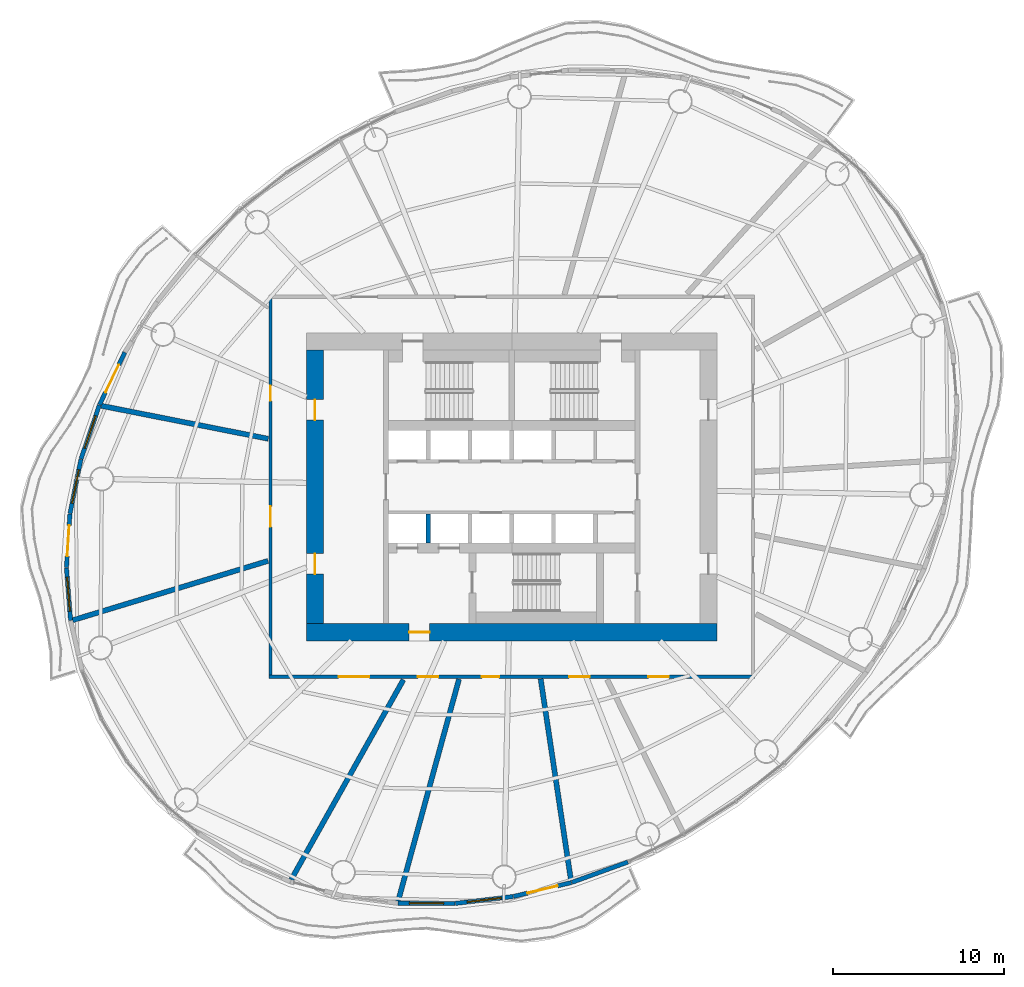
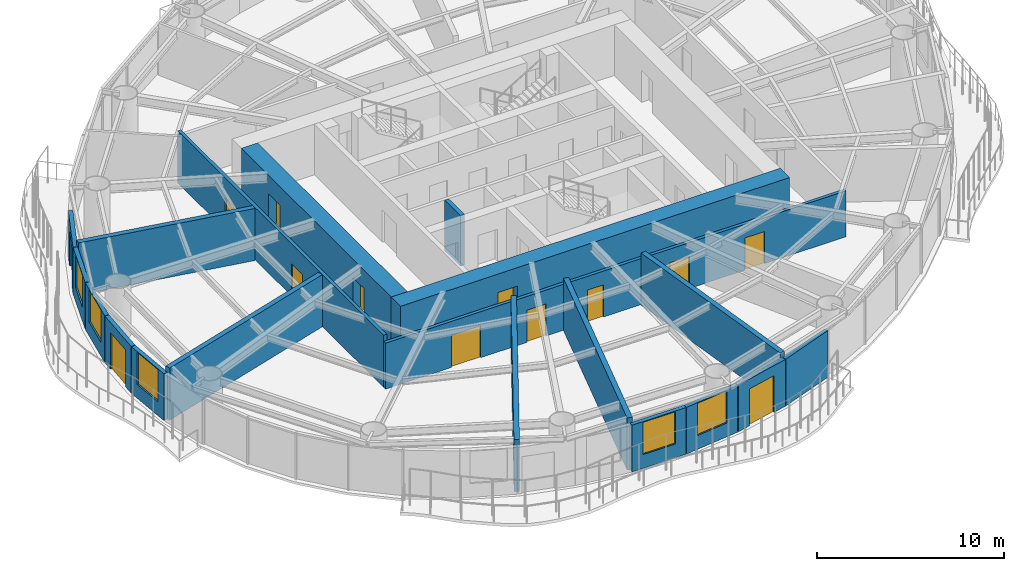
# One storey, part 8 of 15: 19 walls, 13 doors, 5 windows, 18 openings.
"""IFC4 building model written with IfcOpenShell, lengths in metres."""

from ifc_helpers import new_model, si_unit, direction, frame, frame_2d, origin, place, context, subcontext, project, spatial, rectangle, extrude, material, layer, layer_set, type_object, element, fill, save


model = new_model("IFC4")

# Units and contexts
model_context = context("Model", 3, precision=1e-05, world=origin(), true_north=direction((0.0, 1.0)))
body_context = subcontext(model_context, "Body", "Model", "MODEL_VIEW")
ifc_project = project(units=[si_unit("LENGTHUNIT", "METRE"), si_unit("AREAUNIT", "SQUARE_METRE"), si_unit("VOLUMEUNIT", "CUBIC_METRE"), si_unit("PLANEANGLEUNIT", "RADIAN"), si_unit("MASSUNIT", "GRAM", prefix="KILO")], contexts=[model_context])

# Site, building, storey
site_placement = place(None, origin())
site = spatial("IfcSite", under=ifc_project, at=site_placement, CompositionType="ELEMENT")
building_placement = place(site_placement, origin())
building = spatial("IfcBuilding", under=site, at=building_placement, Name="Vermilion Reach Broadcast Tower", CompositionType="ELEMENT")
storey_placement = place(building_placement, frame((0.0, 0.0, 175.800048828125)))
storey = spatial("IfcBuildingStorey", under=building, at=storey_placement, Name="L42", CompositionType="ELEMENT", Elevation=175.800048828125)

# Wall, opening, door
ifc_material_1 = material(Name="Concrete C70", Category="concrete")
ifc_layer_1 = layer(ifc_material_1, 1.0)
ifc_layer_set_1 = layer_set([ifc_layer_1], Name="Core outer wall 1000 mm Concrete C70")
wall_type_1 = type_object("IfcWallType", Name="Core outer wall 1000 mm Concrete C70", PredefinedType="SHEAR", material=ifc_layer_set_1)
wall_1_placement = place(storey_placement, frame((-18.0, -8.5, 0.0), z_axis=(0.0, 0.0, 1.0), x_axis=(1.0, 0.0, 0.0)))
wall_1 = element("IfcWall", 1, at=wall_1_placement, inside=storey, type_object=wall_type_1, Name="L42 core wall os", PredefinedType="SHEAR", context=body_context, shape_type="SweptSolid", body=[
    extrude(rectangle(XDim=24.0, YDim=1.0, at=frame_2d((12.0, 0.0))), origin(), (0.0, 0.0, 1.0), 3.300048828125),
])
opening_1_placement = place(wall_1_placement, frame((6.0, 0.0, 0.0)))
opening_1 = element("IfcOpeningElement", 2, at=opening_1_placement, cuts=wall_1, Name="Opening D02", PredefinedType="OPENING", context=body_context, shape_type="SweptSolid", body=[
    extrude(rectangle(XDim=1.199951171875, YDim=2.10009765625, at=frame_2d((0.60009765625, 1.050048828125))), frame((0.0, 0.510009765625, 0.0), z_axis=(0.0, -1.0, 0.0), x_axis=(1.0, 0.0, 0.0)), (0.0, 0.0, 1.0), 1.02001953125),
])
ifc_material_2 = material(Name="Painted steel fire door", Category="steel")
door_type_1 = type_object("IfcDoorType", Name="Firefighting lobby door 1200 x 2100", OperationType="DOUBLE_DOOR_SINGLE_SWING", PredefinedType="NOTDEFINED", material=ifc_material_2)
door_1_placement = place(opening_1_placement, origin())
door_1 = element("IfcDoor", 3, at=door_1_placement, inside=storey, type_object=door_type_1, Name="L42 ffdoor door FFL", OperationType="DOUBLE_DOOR_SINGLE_SWING", OverallHeight=2.10009765625, OverallWidth=1.199951171875, PredefinedType="NOTDEFINED", context=body_context, shape_type="SweptSolid", body=[
    extrude(rectangle(XDim=1.199951171875, YDim=2.10009765625, at=frame_2d((0.60009765625, 1.050048828125))), frame((0.0, 0.02490234375, 0.0), z_axis=(0.0, -1.0, 0.0), x_axis=(1.0, 0.0, 0.0)), (0.0, 0.0, 1.0), 0.050048828125),
])
fill(opening_1, door_1)

# Wall, openings, doors
wall_2_placement = place(storey_placement, frame((-17.5, 8.0, 0.0), z_axis=(0.0, 0.0, 1.0), x_axis=(0.0, -1.0, 0.0)))
wall_2 = element("IfcWall", 4, at=wall_2_placement, inside=storey, type_object=wall_type_1, Name="L42 core wall ow", PredefinedType="SHEAR", context=body_context, shape_type="SweptSolid", body=[
    extrude(rectangle(XDim=16.0, YDim=1.0, at=frame_2d((8.0, 0.0))), origin(), (0.0, 0.0, 1.0), 3.300048828125),
])
opening_2_placement = place(wall_2_placement, frame((11.89990234375, 0.0, 0.0)))
opening_2 = element("IfcOpeningElement", 5, at=opening_2_placement, cuts=wall_2, Name="Opening D03", PredefinedType="OPENING", context=body_context, shape_type="SweptSolid", body=[
    extrude(rectangle(XDim=1.199951171875, YDim=2.10009765625, at=frame_2d((0.60009765625, 1.050048828125))), frame((0.0, 0.510009765625, 0.0), z_axis=(0.0, -1.0, 0.0), x_axis=(1.0, 0.0, 0.0)), (0.0, 0.0, 1.0), 1.02001953125),
])
opening_3_placement = place(wall_2_placement, frame((2.89990234375, 0.0, 0.0)))
opening_3 = element("IfcOpeningElement", 6, at=opening_3_placement, cuts=wall_2, Name="Opening D03", PredefinedType="OPENING", context=body_context, shape_type="SweptSolid", body=[
    extrude(rectangle(XDim=1.199951171875, YDim=2.10009765625, at=frame_2d((0.60009765625, 1.050048828125))), frame((0.0, 0.510009765625, 0.0), z_axis=(0.0, -1.0, 0.0), x_axis=(1.0, 0.0, 0.0)), (0.0, 0.0, 1.0), 1.02001953125),
])
ifc_material_3 = material(Name="Painted steel fire door", Category="steel")
door_type_2 = type_object("IfcDoorType", Name="Core lobby door 1200 x 2100", OperationType="DOUBLE_DOOR_SINGLE_SWING", PredefinedType="NOTDEFINED", material=ifc_material_3)
door_2_placement = place(opening_2_placement, origin())
door_2 = element("IfcDoor", 7, at=door_2_placement, inside=storey, type_object=door_type_2, Name="L42 slot door W0", OperationType="DOUBLE_DOOR_SINGLE_SWING", OverallHeight=2.10009765625, OverallWidth=1.199951171875, PredefinedType="NOTDEFINED", context=body_context, shape_type="SweptSolid", body=[
    extrude(rectangle(XDim=1.199951171875, YDim=2.10009765625, at=frame_2d((0.60009765625, 1.050048828125))), frame((0.0, 0.02490234375, 0.0), z_axis=(0.0, -1.0, 0.0), x_axis=(1.0, 0.0, 0.0)), (0.0, 0.0, 1.0), 0.050048828125),
])
fill(opening_2, door_2)
door_3_placement = place(opening_3_placement, origin())
door_3 = element("IfcDoor", 8, at=door_3_placement, inside=storey, type_object=door_type_2, Name="L42 slot door W1", OperationType="DOUBLE_DOOR_SINGLE_SWING", OverallHeight=2.10009765625, OverallWidth=1.199951171875, PredefinedType="NOTDEFINED", context=body_context, shape_type="SweptSolid", body=[
    extrude(rectangle(XDim=1.199951171875, YDim=2.10009765625, at=frame_2d((0.60009765625, 1.050048828125))), frame((0.0, 0.02490234375, 0.0), z_axis=(0.0, -1.0, 0.0), x_axis=(1.0, 0.0, 0.0)), (0.0, 0.0, 1.0), 0.050048828125),
])
fill(opening_3, door_3)

# Wall
ifc_material_4 = material(Name="Concrete C50", Category="concrete")
ifc_layer_2 = layer(ifc_material_4, 0.25)
ifc_layer_set_2 = layer_set([ifc_layer_2], Name="Core shaft wall 250 mm Concrete C50")
wall_type_2 = type_object("IfcWallType", Name="Core shaft wall 250 mm Concrete C50", PredefinedType="SHEAR", material=ifc_layer_set_2)
wall_3_placement = place(storey_placement, frame((-10.88330078125, -1.60009765625, 0.0), z_axis=(0.0, 0.0, 1.0), x_axis=(0.0, -1.0, 0.0)))
element("IfcWall", 9, at=wall_3_placement, inside=storey, type_object=wall_type_2, Name="L42 core wall psS0", PredefinedType="SHEAR", context=body_context, shape_type="SweptSolid", body=[
    extrude(rectangle(XDim=1.679931640625, YDim=0.25, at=frame_2d((0.83984375, 0.0))), origin(), (0.0, 0.0, 1.0), 3.300048828125),
])

# Wall, openings, doors
ifc_material_5 = material(Name="Fire-rated gypsum board partition")
ifc_layer_3 = layer(ifc_material_5, 0.199951171875)
ifc_layer_set_3 = layer_set([ifc_layer_3], Name="Corridor wall 200 fire-rated")
wall_type_3 = type_object("IfcWallType", Name="Corridor wall 200 fire-rated", PredefinedType="PARTITIONING", material=ifc_layer_set_3)
wall_4_placement = place(storey_placement, frame((-20.10009765625, -11.0, 0.0), z_axis=(0.0, 0.0, 1.0), x_axis=(0.0, 1.0, 0.0)))
wall_4 = element("IfcWall", 10, at=wall_4_placement, inside=storey, type_object=wall_type_3, Name="Corridor wall 42.W", PredefinedType="PARTITIONING", context=body_context, shape_type="SweptSolid", body=[
    extrude(rectangle(XDim=22.0, YDim=0.199951171875, at=frame_2d((11.0, 0.0))), origin(), (0.0, 0.0, 1.0), 3.39990234375),
])
opening_4_placement = place(wall_4_placement, frame((16.0185546875, 0.0, 0.0)))
opening_4 = element("IfcOpeningElement", 11, at=opening_4_placement, cuts=wall_4, Name="Opening D22", PredefinedType="OPENING", context=body_context, shape_type="SweptSolid", body=[
    extrude(rectangle(XDim=0.89990234375, YDim=2.10009765625, at=frame_2d((0.449951171875, 1.050048828125))), frame((0.0, 0.10986328125, 0.0), z_axis=(0.0, -1.0, 0.0), x_axis=(1.0, 0.0, 0.0)), (0.0, 0.0, 1.0), 0.219970703125),
])
opening_5_placement = place(wall_4_placement, frame((8.66162109375, 0.0, 0.0)))
opening_5 = element("IfcOpeningElement", 12, at=opening_5_placement, cuts=wall_4, Name="Opening D26", PredefinedType="OPENING", context=body_context, shape_type="SweptSolid", body=[
    extrude(rectangle(XDim=1.199951171875, YDim=2.10009765625, at=frame_2d((0.60009765625, 1.050048828125))), frame((0.0, 0.10986328125, 0.0), z_axis=(0.0, -1.0, 0.0), x_axis=(1.0, 0.0, 0.0)), (0.0, 0.0, 1.0), 0.219970703125),
])
ifc_material_6 = material(Name="Acoustic timber door leaf", Category="wood")
door_type_3 = type_object("IfcDoorType", Name="Door single 1200x2100", OperationType="NOTDEFINED", PredefinedType="DOOR", material=ifc_material_6)
door_4_placement = place(opening_5_placement, origin())
door_4 = element("IfcDoor", 13, at=door_4_placement, inside=storey, type_object=door_type_3, Name="Door 42.05", OperationType="SINGLE_SWING_LEFT", OverallHeight=2.10009765625, OverallWidth=1.199951171875, PredefinedType="DOOR", context=body_context, shape_type="SweptSolid", body=[
    extrude(rectangle(XDim=1.199951171875, YDim=2.10009765625, at=frame_2d((0.60009765625, 1.050048828125))), frame((0.0, 0.02490234375, 0.0), z_axis=(0.0, -1.0, 0.0), x_axis=(1.0, 0.0, 0.0)), (0.0, 0.0, 1.0), 0.050048828125),
])
fill(opening_5, door_4)
ifc_material_7 = material(Name="Timber door leaf", Category="wood")
door_type_4 = type_object("IfcDoorType", Name="Door single 900x2100", OperationType="NOTDEFINED", PredefinedType="DOOR", material=ifc_material_7)
door_5_placement = place(opening_4_placement, origin())
door_5 = element("IfcDoor", 14, at=door_5_placement, inside=storey, type_object=door_type_4, Name="Door 42.04", OperationType="SINGLE_SWING_LEFT", OverallHeight=2.10009765625, OverallWidth=0.89990234375, PredefinedType="DOOR", context=body_context, shape_type="SweptSolid", body=[
    extrude(rectangle(XDim=0.89990234375, YDim=2.10009765625, at=frame_2d((0.449951171875, 1.050048828125))), frame((0.0, 0.02490234375, 0.0), z_axis=(0.0, -1.0, 0.0), x_axis=(1.0, 0.0, 0.0)), (0.0, 0.0, 1.0), 0.050048828125),
])
fill(opening_4, door_5)

# Walls
ifc_material_8 = material(Name="Double-leaf plasterboard on isolated steel stud", Category="steel")
ifc_layer_4 = layer(ifc_material_8, 0.300048828125)
ifc_layer_set_4 = layer_set([ifc_layer_4], Name="Partition 300 acoustic double leaf")
wall_type_4 = type_object("IfcWallType", Name="Partition 300 acoustic double leaf", PredefinedType="PARTITIONING", material=ifc_layer_set_4)
wall_5_placement = place(storey_placement, frame((-29.98681640625, 4.7373046875, 0.0), z_axis=(0.0, 0.0, 1.0), x_axis=(0.981048005171, -0.193764835689, 0.0)))
element("IfcWall", 15, at=wall_5_placement, inside=storey, type_object=wall_type_4, Name="Partition 42.05", PredefinedType="PARTITIONING", context=body_context, shape_type="SweptSolid", body=[
    extrude(rectangle(XDim=9.9462890625, YDim=0.300048828125, at=frame_2d((4.97314453125, 0.0))), origin(), (0.0, 0.0, 1.0), 3.39990234375),
])
wall_6_placement = place(storey_placement, frame((-31.661865234375, -7.796142578125, 0.0), z_axis=(0.0, 0.0, 1.0), x_axis=(0.956816478415, 0.290692666976, 0.0)))
element("IfcWall", 16, at=wall_6_placement, inside=storey, type_object=wall_type_4, Name="Partition 42.06", PredefinedType="PARTITIONING", context=body_context, shape_type="SweptSolid", body=[
    extrude(rectangle(XDim=11.93359375, YDim=0.300048828125, at=frame_2d((5.966796875, 0.0))), origin(), (0.0, 0.0, 1.0), 3.39990234375),
])
wall_7_placement = place(storey_placement, frame((-18.8935546875, -22.958251953125, 0.0), z_axis=(0.0, 0.0, 1.0), x_axis=(0.489668651608, 0.871908602798, 0.0)))
element("IfcWall", 17, at=wall_7_placement, inside=storey, type_object=wall_type_4, Name="Partition 42.07", PredefinedType="PARTITIONING", context=body_context, shape_type="SweptSolid", body=[
    extrude(rectangle(XDim=13.4013671875, YDim=0.300048828125, at=frame_2d((6.70068359375, 0.0))), origin(), (0.0, 0.0, 1.0), 3.39990234375),
])
wall_8_placement = place(storey_placement, frame((-12.641357421875, -24.2138671875, 0.0), z_axis=(0.0, 0.0, 1.0), x_axis=(0.264514468867, 0.964381716832, 0.0)))
element("IfcWall", 18, at=wall_8_placement, inside=storey, type_object=wall_type_4, Name="Partition 42.08", PredefinedType="PARTITIONING", context=body_context, shape_type="SweptSolid", body=[
    extrude(rectangle(XDim=13.453369140625, YDim=0.300048828125, at=frame_2d((6.7265625, 0.0))), origin(), (0.0, 0.0, 1.0), 3.39990234375),
])
wall_9_placement = place(storey_placement, frame((-2.538330078125, -23.005126953125, 0.0), z_axis=(0.0, 0.0, 1.0), x_axis=(-0.14879531589, 0.988868016456, 0.0)))
element("IfcWall", 19, at=wall_9_placement, inside=storey, type_object=wall_type_4, Name="Partition 42.09", PredefinedType="PARTITIONING", context=body_context, shape_type="SweptSolid", body=[
    extrude(rectangle(XDim=11.915283203125, YDim=0.300048828125, at=frame_2d((5.95751953125, 0.0))), origin(), (0.0, 0.0, 1.0), 3.39990234375),
])

# Wall, opening, door
ifc_material_9 = material(Name="Terracotta rainscreen cladding", Category="masonry")
ifc_layer_5 = layer(ifc_material_9, 0.25)
ifc_layer_set_5 = layer_set([ifc_layer_5], Name="Terracotta rainscreen wall 250")
wall_type_5 = type_object("IfcWallType", Name="Terracotta rainscreen wall 250", PredefinedType="SOLIDWALL", material=ifc_layer_set_5)
wall_10_placement = place(storey_placement, frame((-28.6171875, 7.85986328125, 0.0), z_axis=(0.0, 0.0, 1.0), x_axis=(-0.434919571845, -0.900469303211, 0.0)))
wall_10 = element("IfcWall", 20, at=wall_10_placement, inside=storey, type_object=wall_type_5, Name="External wall L42 16", PredefinedType="SOLIDWALL", context=body_context, shape_type="SweptSolid", body=[
    extrude(rectangle(XDim=3.403564453125, YDim=0.25, at=frame_2d((1.70166015625, 0.0))), origin(), (0.0, 0.0, 1.0), 3.050048828125),
])
opening_6_placement = place(wall_10_placement, frame((0.802001953125, 0.0, 0.0)))
opening_6 = element("IfcOpeningElement", 21, at=opening_6_placement, cuts=wall_10, Name="Opening D70", PredefinedType="OPENING", context=body_context, shape_type="SweptSolid", body=[
    extrude(rectangle(XDim=1.800048828125, YDim=2.39990234375, at=frame_2d((0.89990234375, 1.199951171875))), frame((0.0, 0.135009765625, 0.0), z_axis=(0.0, -1.0, 0.0), x_axis=(1.0, 0.0, 0.0)), (0.0, 0.0, 1.0), 0.27001953125),
])
ifc_material_10 = material(Name="Low-e laminated clear glass in aluminium frame", Category="aluminium")
door_type_5 = type_object("IfcDoorType", Name="Balcony sliding door 1800 x 2400", OperationType="DOUBLE_DOOR_SLIDING", PredefinedType="DOOR", material=ifc_material_10)
door_6_placement = place(opening_6_placement, origin())
door_6 = element("IfcDoor", 22, at=door_6_placement, inside=storey, type_object=door_type_5, Name="Balcony door L42 run 04", OperationType="DOUBLE_DOOR_SLIDING", OverallHeight=2.39990234375, OverallWidth=1.800048828125, PredefinedType="DOOR", context=body_context, shape_type="SweptSolid", body=[
    extrude(rectangle(XDim=1.800048828125, YDim=2.39990234375, at=frame_2d((0.89990234375, 1.199951171875))), frame((0.0, 0.02490234375, 0.0), z_axis=(0.0, -1.0, 0.0), x_axis=(1.0, 0.0, 0.0)), (0.0, 0.0, 1.0), 0.050048828125),
])
fill(opening_6, door_6)

# Wall, opening, window
wall_11_placement = place(storey_placement, frame((-30.106201171875, 4.773681640625, 0.0), z_axis=(0.0, 0.0, 1.0), x_axis=(-0.321869774717, -0.946783950077, 0.0)))
wall_11 = element("IfcWall", 23, at=wall_11_placement, inside=storey, type_object=wall_type_5, Name="External wall L42 17", PredefinedType="SOLIDWALL", context=body_context, shape_type="SweptSolid", body=[
    extrude(rectangle(XDim=3.320068359375, YDim=0.25, at=frame_2d((1.66015625, 0.0))), origin(), (0.0, 0.0, 1.0), 3.050048828125),
])
opening_7_placement = place(wall_11_placement, frame((0.66015625, 0.0, 0.89990234375)))
opening_7 = element("IfcOpeningElement", 24, at=opening_7_placement, cuts=wall_11, Name="Opening W03", PredefinedType="OPENING", context=body_context, shape_type="SweptSolid", body=[
    extrude(rectangle(XDim=2.0, YDim=2.10009765625, at=frame_2d((1.0, 1.050048828125))), frame((0.0, 0.135009765625, 0.0), z_axis=(0.0, -1.0, 0.0), x_axis=(1.0, 0.0, 0.0)), (0.0, 0.0, 1.0), 0.27001953125),
])
ifc_material_11 = material(Name="Low-e laminated clear glass in aluminium frame", Category="aluminium")
window_type = type_object("IfcWindowType", Name="Punched window 2000 x 2100 sill 900", PartitioningType="SINGLE_PANEL", PredefinedType="WINDOW", material=ifc_material_11)
window_1_placement = place(opening_7_placement, origin())
window_1 = element("IfcWindow", 25, at=window_1_placement, inside=storey, type_object=window_type, Name="Window L42 17", OverallHeight=2.10009765625, OverallWidth=2.0, PartitioningType="SINGLE_PANEL", PredefinedType="WINDOW", context=body_context, shape_type="SweptSolid", body=[
    extrude(rectangle(XDim=2.0, YDim=2.10009765625, at=frame_2d((1.0, 1.050048828125))), frame((0.0, 0.030029296875, 0.0), z_axis=(0.0, -1.0, 0.0), x_axis=(1.0, 0.0, 0.0)), (0.0, 0.0, 1.0), 0.06005859375),
])
fill(opening_7, window_1)

wall_12_placement = place(storey_placement, frame((-31.18115234375, 1.607177734375, 0.0), z_axis=(0.0, 0.0, 1.0), x_axis=(-0.198076987467, -0.980186465442, 0.0)))
wall_12 = element("IfcWall", 26, at=wall_12_placement, inside=storey, type_object=wall_type_5, Name="External wall L42 18", PredefinedType="SOLIDWALL", context=body_context, shape_type="SweptSolid", body=[
    extrude(rectangle(XDim=3.231689453125, YDim=0.25, at=frame_2d((1.61572265625, 0.0))), origin(), (0.0, 0.0, 1.0), 3.050048828125),
])
opening_8_placement = place(wall_12_placement, frame((0.615966796875, 0.0, 0.89990234375)))
opening_8 = element("IfcOpeningElement", 27, at=opening_8_placement, cuts=wall_12, Name="Opening W03", PredefinedType="OPENING", context=body_context, shape_type="SweptSolid", body=[
    extrude(rectangle(XDim=2.0, YDim=2.10009765625, at=frame_2d((1.0, 1.050048828125))), frame((0.0, 0.135009765625, 0.0), z_axis=(0.0, -1.0, 0.0), x_axis=(1.0, 0.0, 0.0)), (0.0, 0.0, 1.0), 0.27001953125),
])
window_2_placement = place(opening_8_placement, origin())
window_2 = element("IfcWindow", 28, at=window_2_placement, inside=storey, type_object=window_type, Name="Window L42 18", OverallHeight=2.10009765625, OverallWidth=2.0, PartitioningType="SINGLE_PANEL", PredefinedType="WINDOW", context=body_context, shape_type="SweptSolid", body=[
    extrude(rectangle(XDim=2.0, YDim=2.10009765625, at=frame_2d((1.0, 1.050048828125))), frame((0.0, 0.030029296875, 0.0), z_axis=(0.0, -1.0, 0.0), x_axis=(1.0, 0.0, 0.0)), (0.0, 0.0, 1.0), 0.06005859375),
])
fill(opening_8, window_2)

# Wall, opening, door
wall_13_placement = place(storey_placement, frame((-31.824462890625, -1.585205078125, 0.0), z_axis=(0.0, 0.0, 1.0), x_axis=(-0.064065458037, -0.997945698466, 0.0)))
wall_13 = element("IfcWall", 29, at=wall_13_placement, inside=storey, type_object=wall_type_5, Name="External wall L42 19", PredefinedType="SOLIDWALL", context=body_context, shape_type="SweptSolid", body=[
    extrude(rectangle(XDim=3.143798828125, YDim=0.25, at=frame_2d((1.57177734375, 0.0))), origin(), (0.0, 0.0, 1.0), 3.050048828125),
])
opening_9_placement = place(wall_13_placement, frame((0.672119140625, 0.0, 0.0)))
opening_9 = element("IfcOpeningElement", 30, at=opening_9_placement, cuts=wall_13, Name="Opening D70", PredefinedType="OPENING", context=body_context, shape_type="SweptSolid", body=[
    extrude(rectangle(XDim=1.800048828125, YDim=2.39990234375, at=frame_2d((0.89990234375, 1.199951171875))), frame((0.0, 0.135009765625, 0.0), z_axis=(0.0, -1.0, 0.0), x_axis=(1.0, 0.0, 0.0)), (0.0, 0.0, 1.0), 0.27001953125),
])
door_7_placement = place(opening_9_placement, origin())
door_7 = element("IfcDoor", 31, at=door_7_placement, inside=storey, type_object=door_type_5, Name="Balcony door L42 run 05", OperationType="DOUBLE_DOOR_SLIDING", OverallHeight=2.39990234375, OverallWidth=1.800048828125, PredefinedType="DOOR", context=body_context, shape_type="SweptSolid", body=[
    extrude(rectangle(XDim=1.800048828125, YDim=2.39990234375, at=frame_2d((0.89990234375, 1.199951171875))), frame((0.0, 0.02490234375, 0.0), z_axis=(0.0, -1.0, 0.0), x_axis=(1.0, 0.0, 0.0)), (0.0, 0.0, 1.0), 0.050048828125),
])
fill(opening_9, door_7)

# Wall, opening, window
wall_14_placement = place(storey_placement, frame((-32.02587890625, -4.748291015625, 0.0), z_axis=(0.0, 0.0, 1.0), x_axis=(0.078116681752, -0.99694422313, 0.0)))
wall_14 = element("IfcWall", 32, at=wall_14_placement, inside=storey, type_object=wall_type_5, Name="External wall L42 20", PredefinedType="SOLIDWALL", context=body_context, shape_type="SweptSolid", body=[
    extrude(rectangle(XDim=3.062744140625, YDim=0.25, at=frame_2d((1.53125, 0.0))), origin(), (0.0, 0.0, 1.0), 3.050048828125),
])
opening_10_placement = place(wall_14_placement, frame((0.531494140625, 0.0, 0.89990234375)))
opening_10 = element("IfcOpeningElement", 33, at=opening_10_placement, cuts=wall_14, Name="Opening W03", PredefinedType="OPENING", context=body_context, shape_type="SweptSolid", body=[
    extrude(rectangle(XDim=2.0, YDim=2.10009765625, at=frame_2d((1.0, 1.050048828125))), frame((0.0, 0.135009765625, 0.0), z_axis=(0.0, -1.0, 0.0), x_axis=(1.0, 0.0, 0.0)), (0.0, 0.0, 1.0), 0.27001953125),
])
window_3_placement = place(opening_10_placement, origin())
window_3 = element("IfcWindow", 34, at=window_3_placement, inside=storey, type_object=window_type, Name="Window L42 20", OverallHeight=2.10009765625, OverallWidth=2.0, PartitioningType="SINGLE_PANEL", PredefinedType="WINDOW", context=body_context, shape_type="SweptSolid", body=[
    extrude(rectangle(XDim=2.0, YDim=2.10009765625, at=frame_2d((1.0, 1.050048828125))), frame((0.0, 0.030029296875, 0.0), z_axis=(0.0, -1.0, 0.0), x_axis=(1.0, 0.0, 0.0)), (0.0, 0.0, 1.0), 0.06005859375),
])
fill(opening_10, window_3)

wall_15_placement = place(storey_placement, frame((-12.6376953125, -24.338623046875, 0.0), z_axis=(0.0, 0.0, 1.0), x_axis=(0.999994765707, -0.003235515089, 0.0)))
wall_15 = element("IfcWall", 35, at=wall_15_placement, inside=storey, type_object=wall_type_5, Name="External wall L42 30", PredefinedType="SOLIDWALL", context=body_context, shape_type="SweptSolid", body=[
    extrude(rectangle(XDim=3.320068359375, YDim=0.25, at=frame_2d((1.66015625, 0.0))), origin(), (0.0, 0.0, 1.0), 3.050048828125),
])
opening_11_placement = place(wall_15_placement, frame((0.66015625, 0.0, 0.89990234375)))
opening_11 = element("IfcOpeningElement", 36, at=opening_11_placement, cuts=wall_15, Name="Opening W03", PredefinedType="OPENING", context=body_context, shape_type="SweptSolid", body=[
    extrude(rectangle(XDim=2.0, YDim=2.10009765625, at=frame_2d((1.0, 1.050048828125))), frame((0.0, 0.135009765625, 0.0), z_axis=(0.0, -1.0, 0.0), x_axis=(1.0, 0.0, 0.0)), (0.0, 0.0, 1.0), 0.27001953125),
])
window_4_placement = place(opening_11_placement, origin())
window_4 = element("IfcWindow", 37, at=window_4_placement, inside=storey, type_object=window_type, Name="Window L42 30", OverallHeight=2.10009765625, OverallWidth=2.0, PartitioningType="SINGLE_PANEL", PredefinedType="WINDOW", context=body_context, shape_type="SweptSolid", body=[
    extrude(rectangle(XDim=2.0, YDim=2.10009765625, at=frame_2d((1.0, 1.050048828125))), frame((0.0, 0.030029296875, 0.0), z_axis=(0.0, -1.0, 0.0), x_axis=(1.0, 0.0, 0.0)), (0.0, 0.0, 1.0), 0.06005859375),
])
fill(opening_11, window_4)

wall_16_placement = place(storey_placement, frame((-9.29443359375, -24.347900390625, 0.0), z_axis=(0.0, 0.0, 1.0), x_axis=(0.992928000629, 0.118718092836, 0.0)))
wall_16 = element("IfcWall", 38, at=wall_16_placement, inside=storey, type_object=wall_type_5, Name="External wall L42 31", PredefinedType="SOLIDWALL", context=body_context, shape_type="SweptSolid", body=[
    extrude(rectangle(XDim=3.403564453125, YDim=0.25, at=frame_2d((1.70166015625, 0.0))), origin(), (0.0, 0.0, 1.0), 3.050048828125),
])
opening_12_placement = place(wall_16_placement, frame((0.70166015625, 0.0, 0.89990234375)))
opening_12 = element("IfcOpeningElement", 39, at=opening_12_placement, cuts=wall_16, Name="Opening W03", PredefinedType="OPENING", context=body_context, shape_type="SweptSolid", body=[
    extrude(rectangle(XDim=2.0, YDim=2.10009765625, at=frame_2d((1.0, 1.050048828125))), frame((0.0, 0.135009765625, 0.0), z_axis=(0.0, -1.0, 0.0), x_axis=(1.0, 0.0, 0.0)), (0.0, 0.0, 1.0), 0.27001953125),
])
window_5_placement = place(opening_12_placement, origin())
window_5 = element("IfcWindow", 40, at=window_5_placement, inside=storey, type_object=window_type, Name="Window L42 31", OverallHeight=2.10009765625, OverallWidth=2.0, PartitioningType="SINGLE_PANEL", PredefinedType="WINDOW", context=body_context, shape_type="SweptSolid", body=[
    extrude(rectangle(XDim=2.0, YDim=2.10009765625, at=frame_2d((1.0, 1.050048828125))), frame((0.0, 0.030029296875, 0.0), z_axis=(0.0, -1.0, 0.0), x_axis=(1.0, 0.0, 0.0)), (0.0, 0.0, 1.0), 0.06005859375),
])
fill(opening_12, window_5)

# Wall, opening, door
wall_17_placement = place(storey_placement, frame((-5.892822265625, -23.93994140625, 0.0), z_axis=(0.0, 0.0, 1.0), x_axis=(0.97230053317, 0.233734193469, 0.0)))
wall_17 = element("IfcWall", 41, at=wall_17_placement, inside=storey, type_object=wall_type_5, Name="External wall L42 32", PredefinedType="SOLIDWALL", context=body_context, shape_type="SweptSolid", body=[
    extrude(rectangle(XDim=3.47607421875, YDim=0.25, at=frame_2d((1.738037109375, 0.0))), origin(), (0.0, 0.0, 1.0), 3.050048828125),
])
opening_13_placement = place(wall_17_placement, frame((0.837890625, 0.0, 0.0)))
opening_13 = element("IfcOpeningElement", 42, at=opening_13_placement, cuts=wall_17, Name="Opening D70", PredefinedType="OPENING", context=body_context, shape_type="SweptSolid", body=[
    extrude(rectangle(XDim=1.800048828125, YDim=2.39990234375, at=frame_2d((0.89990234375, 1.199951171875))), frame((0.0, 0.135009765625, 0.0), z_axis=(0.0, -1.0, 0.0), x_axis=(1.0, 0.0, 0.0)), (0.0, 0.0, 1.0), 0.27001953125),
])
door_8_placement = place(opening_13_placement, origin())
door_8 = element("IfcDoor", 43, at=door_8_placement, inside=storey, type_object=door_type_5, Name="Balcony door L42 run 08", OperationType="DOUBLE_DOOR_SLIDING", OverallHeight=2.39990234375, OverallWidth=1.800048828125, PredefinedType="DOOR", context=body_context, shape_type="SweptSolid", body=[
    extrude(rectangle(XDim=1.800048828125, YDim=2.39990234375, at=frame_2d((0.89990234375, 1.199951171875))), frame((0.0, 0.02490234375, 0.0), z_axis=(0.0, -1.0, 0.0), x_axis=(1.0, 0.0, 0.0)), (0.0, 0.0, 1.0), 0.050048828125),
])
fill(opening_13, door_8)

# Wall
wall_18_placement = place(storey_placement, frame((-2.491943359375, -23.12109375, 0.0), z_axis=(0.0, 0.0, 1.0), x_axis=(0.939842425933, 0.341608276271, 0.0)))
element("IfcWall", 44, at=wall_18_placement, inside=storey, type_object=wall_type_5, Name="External wall L42 33", PredefinedType="SOLIDWALL", context=body_context, shape_type="SweptSolid", body=[
    extrude(rectangle(XDim=3.490478515625, YDim=0.25, at=frame_2d((1.7451171875, 0.0))), origin(), (0.0, 0.0, 1.0), 3.050048828125),
])

# Wall, openings, doors
ifc_material_12 = material(Name="Fire-rated gypsum board partition")
ifc_layer_6 = layer(ifc_material_12, 0.199951171875)
ifc_layer_set_6 = layer_set([ifc_layer_6], Name="Under girder: Corridor wall 200 fire-rated")
wall_type_6 = type_object("IfcWallType", Name="Under girder: Corridor wall 200 fire-rated", PredefinedType="PARTITIONING", material=ifc_layer_set_6)
wall_19_placement = place(storey_placement, frame((8.199951171875, -11.10009765625, 0.0), z_axis=(0.0, 0.0, 1.0), x_axis=(-1.0, 0.0, 0.0)))
wall_19 = element("IfcWall", 45, at=wall_19_placement, inside=storey, type_object=wall_type_6, Name="Corridor wall 42.S", PredefinedType="PARTITIONING", context=body_context, shape_type="SweptSolid", body=[
    extrude(rectangle(XDim=28.39990234375, YDim=0.199951171875, at=frame_2d((14.199951171875, 0.0))), origin(), (0.0, 0.0, 1.0), 3.0),
])
opening_14_placement = place(wall_19_placement, frame((22.52294921875, 0.0, 0.0)))
opening_14 = element("IfcOpeningElement", 46, at=opening_14_placement, cuts=wall_19, Name="Opening D21", PredefinedType="OPENING", context=body_context, shape_type="SweptSolid", body=[
    extrude(rectangle(XDim=1.800048828125, YDim=2.10009765625, at=frame_2d((0.89990234375, 1.050048828125))), frame((0.0, 0.10986328125, 0.0), z_axis=(0.0, -1.0, 0.0), x_axis=(1.0, 0.0, 0.0)), (0.0, 0.0, 1.0), 0.219970703125),
])
opening_15_placement = place(wall_19_placement, frame((18.484619140625, 0.0, 0.0)))
opening_15 = element("IfcOpeningElement", 47, at=opening_15_placement, cuts=wall_19, Name="Opening D26", PredefinedType="OPENING", context=body_context, shape_type="SweptSolid", body=[
    extrude(rectangle(XDim=1.199951171875, YDim=2.10009765625, at=frame_2d((0.60009765625, 1.050048828125))), frame((0.0, 0.10986328125, 0.0), z_axis=(0.0, -1.0, 0.0), x_axis=(1.0, 0.0, 0.0)), (0.0, 0.0, 1.0), 0.219970703125),
])
opening_16_placement = place(wall_19_placement, frame((14.94482421875, 0.0, 0.0)))
opening_16 = element("IfcOpeningElement", 48, at=opening_16_placement, cuts=wall_19, Name="Opening D20", PredefinedType="OPENING", context=body_context, shape_type="SweptSolid", body=[
    extrude(rectangle(XDim=1.0, YDim=2.10009765625, at=frame_2d((0.5, 1.050048828125))), frame((0.0, 0.10986328125, 0.0), z_axis=(0.0, -1.0, 0.0), x_axis=(1.0, 0.0, 0.0)), (0.0, 0.0, 1.0), 0.219970703125),
])
opening_17_placement = place(wall_19_placement, frame((9.6533203125, 0.0, 0.0)))
opening_17 = element("IfcOpeningElement", 49, at=opening_17_placement, cuts=wall_19, Name="Opening D26", PredefinedType="OPENING", context=body_context, shape_type="SweptSolid", body=[
    extrude(rectangle(XDim=1.199951171875, YDim=2.10009765625, at=frame_2d((0.60009765625, 1.050048828125))), frame((0.0, 0.10986328125, 0.0), z_axis=(0.0, -1.0, 0.0), x_axis=(1.0, 0.0, 0.0)), (0.0, 0.0, 1.0), 0.219970703125),
])
opening_18_placement = place(wall_19_placement, frame((5.01904296875, 0.0, 0.0)))
opening_18 = element("IfcOpeningElement", 50, at=opening_18_placement, cuts=wall_19, Name="Opening D26", PredefinedType="OPENING", context=body_context, shape_type="SweptSolid", body=[
    extrude(rectangle(XDim=1.199951171875, YDim=2.10009765625, at=frame_2d((0.60009765625, 1.050048828125))), frame((0.0, 0.10986328125, 0.0), z_axis=(0.0, -1.0, 0.0), x_axis=(1.0, 0.0, 0.0)), (0.0, 0.0, 1.0), 0.219970703125),
])
ifc_material_13 = material(Name="Timber door leaf", Category="wood")
door_type_6 = type_object("IfcDoorType", Name="Door pair 1800x2100", OperationType="NOTDEFINED", PredefinedType="DOOR", material=ifc_material_13)
door_9_placement = place(opening_14_placement, origin())
door_9 = element("IfcDoor", 51, at=door_9_placement, inside=storey, type_object=door_type_6, Name="Door 42.06", OperationType="DOUBLE_DOOR_SINGLE_SWING", OverallHeight=2.10009765625, OverallWidth=1.800048828125, PredefinedType="DOOR", context=body_context, shape_type="SweptSolid", body=[
    extrude(rectangle(XDim=1.800048828125, YDim=2.10009765625, at=frame_2d((0.89990234375, 1.050048828125))), frame((0.0, 0.02490234375, 0.0), z_axis=(0.0, -1.0, 0.0), x_axis=(1.0, 0.0, 0.0)), (0.0, 0.0, 1.0), 0.050048828125),
])
fill(opening_14, door_9)
ifc_material_14 = material(Name="Timber door leaf", Category="wood")
door_type_7 = type_object("IfcDoorType", Name="Door single 1000x2100", OperationType="NOTDEFINED", PredefinedType="DOOR", material=ifc_material_14)
door_10_placement = place(opening_16_placement, origin())
door_10 = element("IfcDoor", 52, at=door_10_placement, inside=storey, type_object=door_type_7, Name="Door 42.08", OperationType="SINGLE_SWING_RIGHT", OverallHeight=2.10009765625, OverallWidth=1.0, PredefinedType="DOOR", context=body_context, shape_type="SweptSolid", body=[
    extrude(rectangle(XDim=1.0, YDim=2.10009765625, at=frame_2d((0.5, 1.050048828125))), frame((0.0, 0.02490234375, 0.0), z_axis=(0.0, -1.0, 0.0), x_axis=(1.0, 0.0, 0.0)), (0.0, 0.0, 1.0), 0.050048828125),
])
fill(opening_16, door_10)
door_11_placement = place(opening_15_placement, origin())
door_11 = element("IfcDoor", 53, at=door_11_placement, inside=storey, type_object=door_type_3, Name="Door 42.07", OperationType="SINGLE_SWING_RIGHT", OverallHeight=2.10009765625, OverallWidth=1.199951171875, PredefinedType="DOOR", context=body_context, shape_type="SweptSolid", body=[
    extrude(rectangle(XDim=1.199951171875, YDim=2.10009765625, at=frame_2d((0.60009765625, 1.050048828125))), frame((0.0, 0.02490234375, 0.0), z_axis=(0.0, -1.0, 0.0), x_axis=(1.0, 0.0, 0.0)), (0.0, 0.0, 1.0), 0.050048828125),
])
fill(opening_15, door_11)
door_12_placement = place(opening_17_placement, origin())
door_12 = element("IfcDoor", 54, at=door_12_placement, inside=storey, type_object=door_type_3, Name="Door 42.09", OperationType="SINGLE_SWING_LEFT", OverallHeight=2.10009765625, OverallWidth=1.199951171875, PredefinedType="DOOR", context=body_context, shape_type="SweptSolid", body=[
    extrude(rectangle(XDim=1.199951171875, YDim=2.10009765625, at=frame_2d((0.60009765625, 1.050048828125))), frame((0.0, 0.02490234375, 0.0), z_axis=(0.0, -1.0, 0.0), x_axis=(1.0, 0.0, 0.0)), (0.0, 0.0, 1.0), 0.050048828125),
])
fill(opening_17, door_12)
door_13_placement = place(opening_18_placement, origin())
door_13 = element("IfcDoor", 55, at=door_13_placement, inside=storey, type_object=door_type_3, Name="Door 42.10", OperationType="SINGLE_SWING_RIGHT", OverallHeight=2.10009765625, OverallWidth=1.199951171875, PredefinedType="DOOR", context=body_context, shape_type="SweptSolid", body=[
    extrude(rectangle(XDim=1.199951171875, YDim=2.10009765625, at=frame_2d((0.60009765625, 1.050048828125))), frame((0.0, 0.02490234375, 0.0), z_axis=(0.0, -1.0, 0.0), x_axis=(1.0, 0.0, 0.0)), (0.0, 0.0, 1.0), 0.050048828125),
])
fill(opening_18, door_13)

save(model, "model.ifc")
